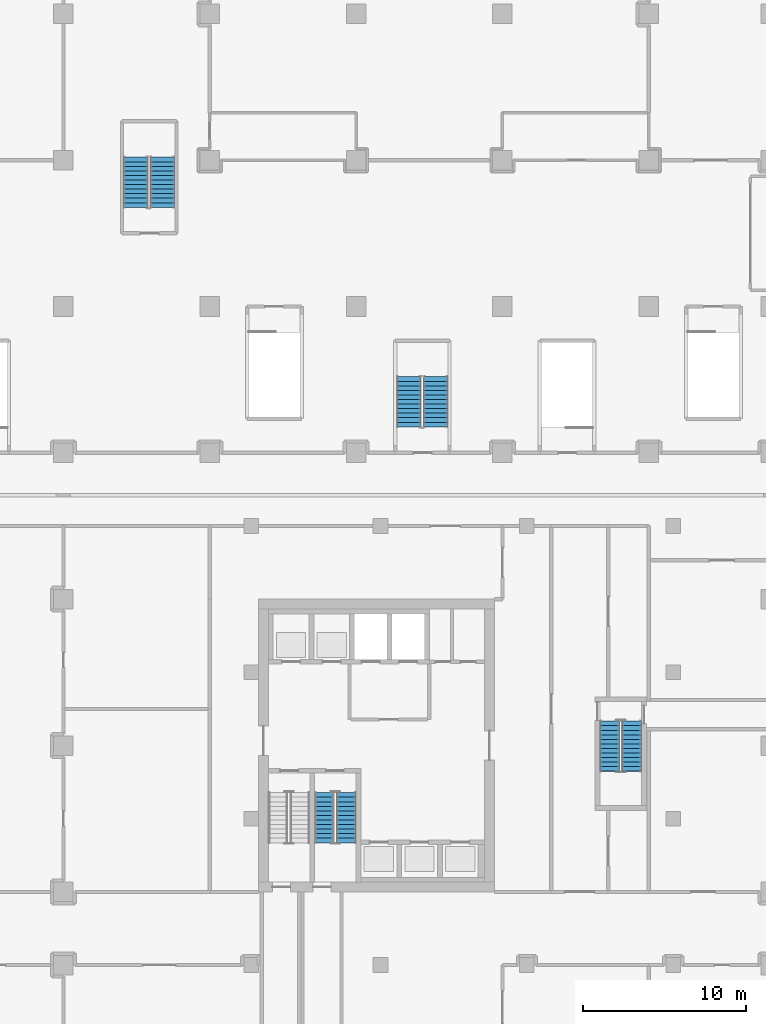
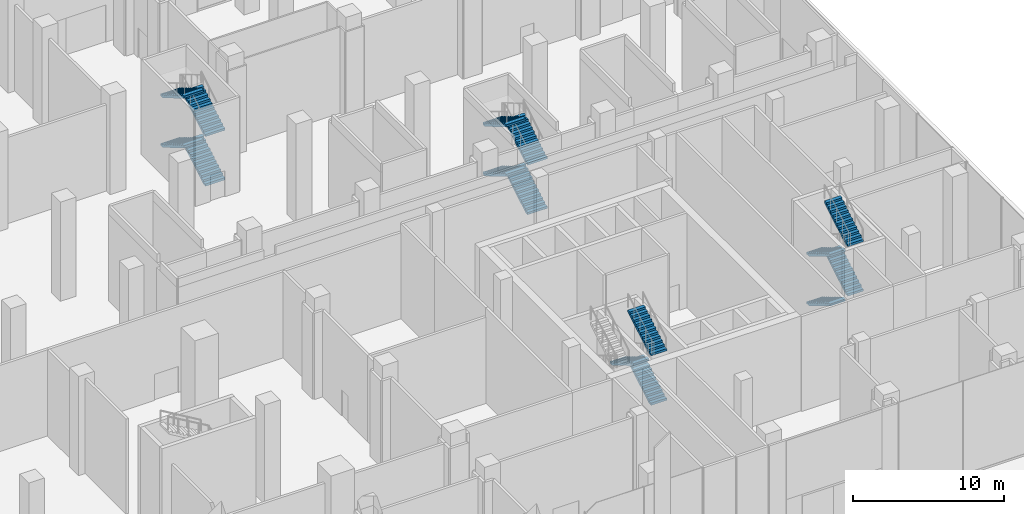
# One storey, part 29 of 42: 15 stair flights, 4 elements without a shape of their own.
"""IFC4 building model written with IfcOpenShell, lengths in metres."""

from ifc_helpers import new_model, si_unit, direction, frame, origin, place, context, subcontext, project, spatial, polyline, outline, extrude, material, type_object, element, aggregate, save


model = new_model("IFC4")

# Units and contexts
model_context = context("Model", 3, precision=1e-05, world=origin(), true_north=direction((0.0, 1.0)))
body_context = subcontext(model_context, "Body", "Model", "MODEL_VIEW")
ifc_project = project(units=[si_unit("LENGTHUNIT", "METRE"), si_unit("AREAUNIT", "SQUARE_METRE"), si_unit("VOLUMEUNIT", "CUBIC_METRE"), si_unit("PLANEANGLEUNIT", "RADIAN"), si_unit("MASSUNIT", "GRAM", prefix="KILO")], contexts=[model_context])

# Site, building, storey
site_placement = place(None, origin())
site = spatial("IfcSite", under=ifc_project, at=site_placement, CompositionType="ELEMENT")
building_placement = place(site_placement, origin())
building = spatial("IfcBuilding", under=site, at=building_placement, Name="Plateau Cross Towers", CompositionType="ELEMENT")
storey_placement = place(building_placement, origin())
storey = spatial("IfcBuildingStorey", under=building, at=storey_placement, Name="L00", CompositionType="ELEMENT", Elevation=0.0)

# Stair, stair flights
ifc_material = material(Name="Concrete C40/50", Category="concrete")
stair_type_1 = type_object("IfcStairType", Name="Podium exit stair 1500", PredefinedType="HALF_TURN_STAIR", material=ifc_material)
stair_1_placement = place(storey_placement, origin())
stair_1 = element("IfcStair", 1, at=stair_1_placement, inside=storey, type_object=stair_type_1, Name="L00 Exit Stair 3", PredefinedType="HALF_TURN_STAIR")
stair_flight_type_1 = type_object("IfcStairFlightType", Name="Podium stair flight 1500", PredefinedType="STRAIGHT", material=ifc_material)
stair_flight_1_placement = place(storey_placement, frame((69.10009765625, 42.10009765625, 0.0), z_axis=(0.0, 0.0, 1.0), x_axis=(0.0, 1.0, 0.0)))
stair_flight_1 = element("IfcStairFlight", 2, at=stair_flight_1_placement, type_object=stair_flight_type_1, Name="PS3 flight 1", NumberOfRisers=12, NumberOfTreads=11, PredefinedType="STRAIGHT", RiserHeight=0.166666667, TreadLength=0.28, context=body_context, shape_type="SweptSolid", body=[
    extrude(outline(polyline([(-0.0048828125, -0.010009765625), (-0.0048828125, 0.0), (0.0, 0.0), (0.0, 0.166748046875), (0.280029296875, 0.166748046875), (0.280029296875, 0.333251953125), (0.56005859375, 0.333251953125), (0.56005859375, 0.5), (0.840087890625, 0.5), (0.840087890625, 0.666748046875), (1.1201171875, 0.666748046875), (1.1201171875, 0.833251953125), (1.39990234375, 0.833251953125), (1.39990234375, 1.0), (1.679931640625, 1.0), (1.679931640625, 1.166748046875), (1.9599609375, 1.166748046875), (1.9599609375, 1.333251953125), (2.239990234375, 1.333251953125), (2.239990234375, 1.5), (2.52001953125, 1.5), (2.52001953125, 1.666748046875), (2.800048828125, 1.666748046875), (2.800048828125, 1.833251953125), (3.080078125, 1.833251953125), (3.0849609375, 1.8232421875), (3.0849609375, 1.658935546875), (3.080078125, 1.658935546875), (0.29296875, 0.0), (0.02001953125, 0.0), (0.02001953125, -0.010009765625), (-0.0048828125, -0.010009765625)])), frame((0.0, 0.75, 0.0), z_axis=(0.0, -1.0, 0.0), x_axis=(1.0, 0.0, 0.0)), (0.0, 0.0, 1.0), 1.5),
])
stair_flight_2_placement = place(storey_placement, frame((67.449951171875, 45.179931640625, 2.0), z_axis=(0.0, 0.0, 1.0), x_axis=(0.0, -1.0, 0.0)))
stair_flight_2 = element("IfcStairFlight", 3, at=stair_flight_2_placement, type_object=stair_flight_type_1, Name="PS3 flight 2", NumberOfRisers=12, NumberOfTreads=11, PredefinedType="STRAIGHT", RiserHeight=0.166666667, TreadLength=0.28, context=body_context, shape_type="SweptSolid", body=[
    extrude(outline(polyline([(-0.0048828125, -0.010009765625), (-0.0048828125, 0.0), (0.0, 0.0), (0.0, 0.166748046875), (0.280029296875, 0.166748046875), (0.280029296875, 0.333251953125), (0.56005859375, 0.333251953125), (0.56005859375, 0.5), (0.840087890625, 0.5), (0.840087890625, 0.666748046875), (1.1201171875, 0.666748046875), (1.1201171875, 0.833251953125), (1.39990234375, 0.833251953125), (1.39990234375, 1.0), (1.679931640625, 1.0), (1.679931640625, 1.166748046875), (1.9599609375, 1.166748046875), (1.9599609375, 1.333251953125), (2.239990234375, 1.333251953125), (2.239990234375, 1.5), (2.52001953125, 1.5), (2.52001953125, 1.666748046875), (2.800048828125, 1.666748046875), (2.800048828125, 1.833251953125), (3.080078125, 1.833251953125), (3.0849609375, 1.8232421875), (3.0849609375, 1.658935546875), (3.080078125, 1.658935546875), (0.29296875, 0.0), (0.02001953125, 0.0), (0.02001953125, -0.010009765625), (-0.0048828125, -0.010009765625)])), frame((0.0, 0.75, 0.0), z_axis=(0.0, -1.0, 0.0), x_axis=(1.0, 0.0, 0.0)), (0.0, 0.0, 1.0), 1.5),
])
stair_flight_3_placement = place(storey_placement, frame((69.10009765625, 42.10009765625, 4.0), z_axis=(0.0, 0.0, 1.0), x_axis=(0.0, 1.0, 0.0)))
stair_flight_3 = element("IfcStairFlight", 4, at=stair_flight_3_placement, type_object=stair_flight_type_1, Name="PS3 flight 3", NumberOfRisers=12, NumberOfTreads=11, PredefinedType="STRAIGHT", RiserHeight=0.166666667, TreadLength=0.28, context=body_context, shape_type="SweptSolid", body=[
    extrude(outline(polyline([(-0.0048828125, -0.010009765625), (-0.0048828125, 0.0), (0.0, 0.0), (0.0, 0.166748046875), (0.280029296875, 0.166748046875), (0.280029296875, 0.333251953125), (0.56005859375, 0.333251953125), (0.56005859375, 0.5), (0.840087890625, 0.5), (0.840087890625, 0.666748046875), (1.1201171875, 0.666748046875), (1.1201171875, 0.833251953125), (1.39990234375, 0.833251953125), (1.39990234375, 1.0), (1.679931640625, 1.0), (1.679931640625, 1.166748046875), (1.9599609375, 1.166748046875), (1.9599609375, 1.333251953125), (2.239990234375, 1.333251953125), (2.239990234375, 1.5), (2.52001953125, 1.5), (2.52001953125, 1.666748046875), (2.800048828125, 1.666748046875), (2.800048828125, 1.833251953125), (3.080078125, 1.833251953125), (3.0849609375, 1.8232421875), (3.0849609375, 1.658935546875), (3.080078125, 1.658935546875), (0.29296875, 0.0), (0.02001953125, 0.0), (0.02001953125, -0.010009765625), (-0.0048828125, -0.010009765625)])), frame((0.0, 0.75, 0.0), z_axis=(0.0, -1.0, 0.0), x_axis=(1.0, 0.0, 0.0)), (0.0, 0.0, 1.0), 1.5),
])
stair_flight_4_placement = place(storey_placement, frame((67.449951171875, 45.179931640625, 6.0), z_axis=(0.0, 0.0, 1.0), x_axis=(0.0, -1.0, 0.0)))
stair_flight_4 = element("IfcStairFlight", 5, at=stair_flight_4_placement, type_object=stair_flight_type_1, Name="PS3 flight 4", NumberOfRisers=12, NumberOfTreads=11, PredefinedType="STRAIGHT", RiserHeight=0.166666667, TreadLength=0.28, context=body_context, shape_type="SweptSolid", body=[
    extrude(outline(polyline([(-0.0048828125, -0.010009765625), (-0.0048828125, 0.0), (0.0, 0.0), (0.0, 0.166748046875), (0.280029296875, 0.166748046875), (0.280029296875, 0.333251953125), (0.56005859375, 0.333251953125), (0.56005859375, 0.5), (0.840087890625, 0.5), (0.840087890625, 0.666748046875), (1.1201171875, 0.666748046875), (1.1201171875, 0.833251953125), (1.39990234375, 0.833251953125), (1.39990234375, 1.0), (1.679931640625, 1.0), (1.679931640625, 1.166748046875), (1.9599609375, 1.166748046875), (1.9599609375, 1.333251953125), (2.239990234375, 1.333251953125), (2.239990234375, 1.5), (2.52001953125, 1.5), (2.52001953125, 1.666748046875), (2.800048828125, 1.666748046875), (2.800048828125, 1.833251953125), (3.080078125, 1.833251953125), (3.0849609375, 1.8232421875), (3.0849609375, 1.658935546875), (3.080078125, 1.658935546875), (0.29296875, 0.0), (0.02001953125, 0.0), (0.02001953125, -0.010009765625), (-0.0048828125, -0.010009765625)])), frame((0.0, 0.75, 0.0), z_axis=(0.0, -1.0, 0.0), x_axis=(1.0, 0.0, 0.0)), (0.0, 0.0, 1.0), 1.5),
])
aggregate(stair_1, [stair_flight_1, stair_flight_2, stair_flight_3, stair_flight_4])

stair_2_placement = place(storey_placement, origin())
stair_2 = element("IfcStair", 6, at=stair_2_placement, inside=storey, type_object=stair_type_1, Name="L00 Exit Stair 5", PredefinedType="HALF_TURN_STAIR")
stair_flight_5_placement = place(storey_placement, frame((85.89990234375, 28.60009765625, 0.0), z_axis=(0.0, 0.0, 1.0), x_axis=(0.0, 1.0, 0.0)))
stair_flight_5 = element("IfcStairFlight", 7, at=stair_flight_5_placement, type_object=stair_flight_type_1, Name="PS5 flight 1", NumberOfRisers=12, NumberOfTreads=11, PredefinedType="STRAIGHT", RiserHeight=0.166666667, TreadLength=0.28, context=body_context, shape_type="SweptSolid", body=[
    extrude(outline(polyline([(-0.0048828125, -0.010009765625), (-0.0048828125, 0.0), (0.0, 0.0), (0.0, 0.166748046875), (0.280029296875, 0.166748046875), (0.280029296875, 0.333251953125), (0.56005859375, 0.333251953125), (0.56005859375, 0.5), (0.840087890625, 0.5), (0.840087890625, 0.666748046875), (1.1201171875, 0.666748046875), (1.1201171875, 0.833251953125), (1.39990234375, 0.833251953125), (1.39990234375, 1.0), (1.679931640625, 1.0), (1.679931640625, 1.166748046875), (1.9599609375, 1.166748046875), (1.9599609375, 1.333251953125), (2.239990234375, 1.333251953125), (2.239990234375, 1.5), (2.52001953125, 1.5), (2.52001953125, 1.666748046875), (2.800048828125, 1.666748046875), (2.800048828125, 1.833251953125), (3.080078125, 1.833251953125), (3.0849609375, 1.8232421875), (3.0849609375, 1.658935546875), (3.080078125, 1.658935546875), (0.29296875, 0.0), (0.02001953125, 0.0), (0.02001953125, -0.010009765625), (-0.0048828125, -0.010009765625)])), frame((0.0, 0.75, 0.0), z_axis=(0.0, -1.0, 0.0), x_axis=(1.0, 0.0, 0.0)), (0.0, 0.0, 1.0), 1.5),
])
stair_flight_6_placement = place(storey_placement, frame((84.25, 31.679931640625, 2.0), z_axis=(0.0, 0.0, 1.0), x_axis=(0.0, -1.0, 0.0)))
stair_flight_6 = element("IfcStairFlight", 8, at=stair_flight_6_placement, type_object=stair_flight_type_1, Name="PS5 flight 2", NumberOfRisers=12, NumberOfTreads=11, PredefinedType="STRAIGHT", RiserHeight=0.166666667, TreadLength=0.28, context=body_context, shape_type="SweptSolid", body=[
    extrude(outline(polyline([(-0.0048828125, -0.010009765625), (-0.0048828125, 0.0), (0.0, 0.0), (0.0, 0.166748046875), (0.280029296875, 0.166748046875), (0.280029296875, 0.333251953125), (0.56005859375, 0.333251953125), (0.56005859375, 0.5), (0.840087890625, 0.5), (0.840087890625, 0.666748046875), (1.1201171875, 0.666748046875), (1.1201171875, 0.833251953125), (1.39990234375, 0.833251953125), (1.39990234375, 1.0), (1.679931640625, 1.0), (1.679931640625, 1.166748046875), (1.9599609375, 1.166748046875), (1.9599609375, 1.333251953125), (2.239990234375, 1.333251953125), (2.239990234375, 1.5), (2.52001953125, 1.5), (2.52001953125, 1.666748046875), (2.800048828125, 1.666748046875), (2.800048828125, 1.833251953125), (3.080078125, 1.833251953125), (3.0849609375, 1.8232421875), (3.0849609375, 1.658935546875), (3.080078125, 1.658935546875), (0.29296875, 0.0), (0.02001953125, 0.0), (0.02001953125, -0.010009765625), (-0.0048828125, -0.010009765625)])), frame((0.0, 0.75, 0.0), z_axis=(0.0, -1.0, 0.0), x_axis=(1.0, 0.0, 0.0)), (0.0, 0.0, 1.0), 1.5),
])
stair_flight_7_placement = place(storey_placement, frame((85.89990234375, 28.60009765625, 4.0), z_axis=(0.0, 0.0, 1.0), x_axis=(0.0, 1.0, 0.0)))
stair_flight_7 = element("IfcStairFlight", 9, at=stair_flight_7_placement, type_object=stair_flight_type_1, Name="PS5 flight 3", NumberOfRisers=12, NumberOfTreads=11, PredefinedType="STRAIGHT", RiserHeight=0.166666667, TreadLength=0.28, context=body_context, shape_type="SweptSolid", body=[
    extrude(outline(polyline([(-0.0048828125, -0.010009765625), (-0.0048828125, 0.0), (0.0, 0.0), (0.0, 0.166748046875), (0.280029296875, 0.166748046875), (0.280029296875, 0.333251953125), (0.56005859375, 0.333251953125), (0.56005859375, 0.5), (0.840087890625, 0.5), (0.840087890625, 0.666748046875), (1.1201171875, 0.666748046875), (1.1201171875, 0.833251953125), (1.39990234375, 0.833251953125), (1.39990234375, 1.0), (1.679931640625, 1.0), (1.679931640625, 1.166748046875), (1.9599609375, 1.166748046875), (1.9599609375, 1.333251953125), (2.239990234375, 1.333251953125), (2.239990234375, 1.5), (2.52001953125, 1.5), (2.52001953125, 1.666748046875), (2.800048828125, 1.666748046875), (2.800048828125, 1.833251953125), (3.080078125, 1.833251953125), (3.0849609375, 1.8232421875), (3.0849609375, 1.658935546875), (3.080078125, 1.658935546875), (0.29296875, 0.0), (0.02001953125, 0.0), (0.02001953125, -0.010009765625), (-0.0048828125, -0.010009765625)])), frame((0.0, 0.75, 0.0), z_axis=(0.0, -1.0, 0.0), x_axis=(1.0, 0.0, 0.0)), (0.0, 0.0, 1.0), 1.5),
])
stair_flight_8_placement = place(storey_placement, frame((84.25, 31.679931640625, 6.0), z_axis=(0.0, 0.0, 1.0), x_axis=(0.0, -1.0, 0.0)))
stair_flight_8 = element("IfcStairFlight", 10, at=stair_flight_8_placement, type_object=stair_flight_type_1, Name="PS5 flight 4", NumberOfRisers=12, NumberOfTreads=11, PredefinedType="STRAIGHT", RiserHeight=0.166666667, TreadLength=0.28, context=body_context, shape_type="SweptSolid", body=[
    extrude(outline(polyline([(-0.0048828125, -0.010009765625), (-0.0048828125, 0.0), (0.0, 0.0), (0.0, 0.166748046875), (0.280029296875, 0.166748046875), (0.280029296875, 0.333251953125), (0.56005859375, 0.333251953125), (0.56005859375, 0.5), (0.840087890625, 0.5), (0.840087890625, 0.666748046875), (1.1201171875, 0.666748046875), (1.1201171875, 0.833251953125), (1.39990234375, 0.833251953125), (1.39990234375, 1.0), (1.679931640625, 1.0), (1.679931640625, 1.166748046875), (1.9599609375, 1.166748046875), (1.9599609375, 1.333251953125), (2.239990234375, 1.333251953125), (2.239990234375, 1.5), (2.52001953125, 1.5), (2.52001953125, 1.666748046875), (2.800048828125, 1.666748046875), (2.800048828125, 1.833251953125), (3.080078125, 1.833251953125), (3.0849609375, 1.8232421875), (3.0849609375, 1.658935546875), (3.080078125, 1.658935546875), (0.29296875, 0.0), (0.02001953125, 0.0), (0.02001953125, -0.010009765625), (-0.0048828125, -0.010009765625)])), frame((0.0, 0.75, 0.0), z_axis=(0.0, -1.0, 0.0), x_axis=(1.0, 0.0, 0.0)), (0.0, 0.0, 1.0), 1.5),
])
aggregate(stair_2, [stair_flight_5, stair_flight_6, stair_flight_7, stair_flight_8])

stair_type_2 = type_object("IfcStairType", Name="ST-TWR", PredefinedType="HALF_TURN_STAIR", material=ifc_material)
stair_3_placement = place(storey_placement, origin())
stair_3 = element("IfcStair", 11, at=stair_3_placement, inside=storey, type_object=stair_type_2, Name="L00 Protected Exit Stair SB-2", PredefinedType="HALF_TURN_STAIR")
stair_flight_type_2 = type_object("IfcStairFlightType", Name="SFL-RC", PredefinedType="STRAIGHT", material=ifc_material)
stair_flight_9_placement = place(storey_placement, frame((80.39990234375, 3.02001953125, 2.0), z_axis=(0.0, 0.0, 1.0), x_axis=(0.0, 1.0, 0.0)))
stair_flight_9 = element("IfcStairFlight", 12, at=stair_flight_9_placement, type_object=stair_flight_type_2, Name="SB-2 flight 2", NumberOfRisers=12, NumberOfTreads=11, PredefinedType="STRAIGHT", RiserHeight=0.166666667, TreadLength=0.28, context=body_context, shape_type="SweptSolid", body=[
    extrude(outline(polyline([(-0.0048828125, -0.010009765625), (-0.0048828125, 0.0), (0.0, 0.0), (0.0, 0.166748046875), (0.280029296875, 0.166748046875), (0.280029296875, 0.333251953125), (0.56005859375, 0.333251953125), (0.56005859375, 0.5), (0.840087890625, 0.5), (0.840087890625, 0.666748046875), (1.1201171875, 0.666748046875), (1.1201171875, 0.833251953125), (1.39990234375, 0.833251953125), (1.39990234375, 1.0), (1.679931640625, 1.0), (1.679931640625, 1.166748046875), (1.9599609375, 1.166748046875), (1.9599609375, 1.333251953125), (2.239990234375, 1.333251953125), (2.239990234375, 1.5), (2.52001953125, 1.5), (2.52001953125, 1.666748046875), (2.800048828125, 1.666748046875), (2.800048828125, 1.833251953125), (3.080078125, 1.833251953125), (3.0849609375, 1.8232421875), (3.0849609375, 1.658935546875), (3.080078125, 1.658935546875), (0.29296875, 0.0), (0.02001953125, 0.0), (0.02001953125, -0.010009765625), (-0.0048828125, -0.010009765625)])), frame((0.0, 0.60009765625, 0.0), z_axis=(0.0, -1.0, 0.0), x_axis=(1.0, 0.0, 0.0)), (0.0, 0.0, 1.0), 1.199951171875),
])
stair_flight_10_placement = place(storey_placement, frame((79.050048828125, 6.10009765625, 4.0), z_axis=(0.0, 0.0, 1.0), x_axis=(0.0, -1.0, 0.0)))
stair_flight_10 = element("IfcStairFlight", 13, at=stair_flight_10_placement, type_object=stair_flight_type_2, Name="SB-2 flight 3", NumberOfRisers=12, NumberOfTreads=11, PredefinedType="STRAIGHT", RiserHeight=0.166666667, TreadLength=0.28, context=body_context, shape_type="SweptSolid", body=[
    extrude(outline(polyline([(-0.0048828125, -0.010009765625), (-0.0048828125, 0.0), (0.0, 0.0), (0.0, 0.166748046875), (0.280029296875, 0.166748046875), (0.280029296875, 0.333251953125), (0.56005859375, 0.333251953125), (0.56005859375, 0.5), (0.840087890625, 0.5), (0.840087890625, 0.666748046875), (1.1201171875, 0.666748046875), (1.1201171875, 0.833251953125), (1.39990234375, 0.833251953125), (1.39990234375, 1.0), (1.679931640625, 1.0), (1.679931640625, 1.166748046875), (1.9599609375, 1.166748046875), (1.9599609375, 1.333251953125), (2.239990234375, 1.333251953125), (2.239990234375, 1.5), (2.52001953125, 1.5), (2.52001953125, 1.666748046875), (2.800048828125, 1.666748046875), (2.800048828125, 1.833251953125), (3.080078125, 1.833251953125), (3.0849609375, 1.8232421875), (3.0849609375, 1.658935546875), (3.080078125, 1.658935546875), (0.29296875, 0.0), (0.02001953125, 0.0), (0.02001953125, -0.010009765625), (-0.0048828125, -0.010009765625)])), frame((0.0, 0.60009765625, 0.0), z_axis=(0.0, -1.0, 0.0), x_axis=(1.0, 0.0, 0.0)), (0.0, 0.0, 1.0), 1.199951171875),
])
stair_flight_11_placement = place(storey_placement, frame((80.39990234375, 3.02001953125, 6.0), z_axis=(0.0, 0.0, 1.0), x_axis=(0.0, 1.0, 0.0)))
stair_flight_11 = element("IfcStairFlight", 14, at=stair_flight_11_placement, type_object=stair_flight_type_2, Name="SB-2 flight 4", NumberOfRisers=12, NumberOfTreads=11, PredefinedType="STRAIGHT", RiserHeight=0.166666667, TreadLength=0.28, context=body_context, shape_type="SweptSolid", body=[
    extrude(outline(polyline([(-0.0048828125, -0.010009765625), (-0.0048828125, 0.0), (0.0, 0.0), (0.0, 0.166748046875), (0.280029296875, 0.166748046875), (0.280029296875, 0.333251953125), (0.56005859375, 0.333251953125), (0.56005859375, 0.5), (0.840087890625, 0.5), (0.840087890625, 0.666748046875), (1.1201171875, 0.666748046875), (1.1201171875, 0.833251953125), (1.39990234375, 0.833251953125), (1.39990234375, 1.0), (1.679931640625, 1.0), (1.679931640625, 1.166748046875), (1.9599609375, 1.166748046875), (1.9599609375, 1.333251953125), (2.239990234375, 1.333251953125), (2.239990234375, 1.5), (2.52001953125, 1.5), (2.52001953125, 1.666748046875), (2.800048828125, 1.666748046875), (2.800048828125, 1.833251953125), (3.080078125, 1.833251953125), (3.0849609375, 1.8232421875), (3.0849609375, 1.658935546875), (3.080078125, 1.658935546875), (0.29296875, 0.0), (0.02001953125, 0.0), (0.02001953125, -0.010009765625), (-0.0048828125, -0.010009765625)])), frame((0.0, 0.60009765625, 0.0), z_axis=(0.0, -1.0, 0.0), x_axis=(1.0, 0.0, 0.0)), (0.0, 0.0, 1.0), 1.199951171875),
])
aggregate(stair_3, [stair_flight_9, stair_flight_10, stair_flight_11])

stair_4_placement = place(storey_placement, origin())
stair_4 = element("IfcStair", 15, at=stair_4_placement, inside=storey, type_object=stair_type_2, Name="L00 Protected Exit Stair SB-3", PredefinedType="HALF_TURN_STAIR")
stair_flight_12_placement = place(storey_placement, frame((96.60009765625, 10.5, 0.0), z_axis=(0.0, 0.0, 1.0), x_axis=(0.0, -1.0, 0.0)))
stair_flight_12 = element("IfcStairFlight", 16, at=stair_flight_12_placement, type_object=stair_flight_type_2, Name="SB-3 flight 1", NumberOfRisers=12, NumberOfTreads=11, PredefinedType="STRAIGHT", RiserHeight=0.166666667, TreadLength=0.28, context=body_context, shape_type="SweptSolid", body=[
    extrude(outline(polyline([(-0.0048828125, -0.010009765625), (-0.0048828125, 0.0), (0.0, 0.0), (0.0, 0.166748046875), (0.280029296875, 0.166748046875), (0.280029296875, 0.333251953125), (0.56005859375, 0.333251953125), (0.56005859375, 0.5), (0.840087890625, 0.5), (0.840087890625, 0.666748046875), (1.1201171875, 0.666748046875), (1.1201171875, 0.833251953125), (1.39990234375, 0.833251953125), (1.39990234375, 1.0), (1.679931640625, 1.0), (1.679931640625, 1.166748046875), (1.9599609375, 1.166748046875), (1.9599609375, 1.333251953125), (2.239990234375, 1.333251953125), (2.239990234375, 1.5), (2.52001953125, 1.5), (2.52001953125, 1.666748046875), (2.800048828125, 1.666748046875), (2.800048828125, 1.833251953125), (3.080078125, 1.833251953125), (3.0849609375, 1.8232421875), (3.0849609375, 1.658935546875), (3.080078125, 1.658935546875), (0.29296875, 0.0), (0.02001953125, 0.0), (0.02001953125, -0.010009765625), (-0.0048828125, -0.010009765625)])), frame((0.0, 0.60009765625, 0.0), z_axis=(0.0, -1.0, 0.0), x_axis=(1.0, 0.0, 0.0)), (0.0, 0.0, 1.0), 1.199951171875),
])
stair_flight_13_placement = place(storey_placement, frame((97.949951171875, 7.419921875, 2.0), z_axis=(0.0, 0.0, 1.0), x_axis=(0.0, 1.0, 0.0)))
stair_flight_13 = element("IfcStairFlight", 17, at=stair_flight_13_placement, type_object=stair_flight_type_2, Name="SB-3 flight 2", NumberOfRisers=12, NumberOfTreads=11, PredefinedType="STRAIGHT", RiserHeight=0.166666667, TreadLength=0.28, context=body_context, shape_type="SweptSolid", body=[
    extrude(outline(polyline([(-0.0048828125, -0.010009765625), (-0.0048828125, 0.0), (0.0, 0.0), (0.0, 0.166748046875), (0.280029296875, 0.166748046875), (0.280029296875, 0.333251953125), (0.56005859375, 0.333251953125), (0.56005859375, 0.5), (0.840087890625, 0.5), (0.840087890625, 0.666748046875), (1.1201171875, 0.666748046875), (1.1201171875, 0.833251953125), (1.39990234375, 0.833251953125), (1.39990234375, 1.0), (1.679931640625, 1.0), (1.679931640625, 1.166748046875), (1.9599609375, 1.166748046875), (1.9599609375, 1.333251953125), (2.239990234375, 1.333251953125), (2.239990234375, 1.5), (2.52001953125, 1.5), (2.52001953125, 1.666748046875), (2.800048828125, 1.666748046875), (2.800048828125, 1.833251953125), (3.080078125, 1.833251953125), (3.0849609375, 1.8232421875), (3.0849609375, 1.658935546875), (3.080078125, 1.658935546875), (0.29296875, 0.0), (0.02001953125, 0.0), (0.02001953125, -0.010009765625), (-0.0048828125, -0.010009765625)])), frame((0.0, 0.60009765625, 0.0), z_axis=(0.0, -1.0, 0.0), x_axis=(1.0, 0.0, 0.0)), (0.0, 0.0, 1.0), 1.199951171875),
])
stair_flight_14_placement = place(storey_placement, frame((96.60009765625, 10.5, 4.0), z_axis=(0.0, 0.0, 1.0), x_axis=(0.0, -1.0, 0.0)))
stair_flight_14 = element("IfcStairFlight", 18, at=stair_flight_14_placement, type_object=stair_flight_type_2, Name="SB-3 flight 3", NumberOfRisers=12, NumberOfTreads=11, PredefinedType="STRAIGHT", RiserHeight=0.166666667, TreadLength=0.28, context=body_context, shape_type="SweptSolid", body=[
    extrude(outline(polyline([(-0.0048828125, -0.010009765625), (-0.0048828125, 0.0), (0.0, 0.0), (0.0, 0.166748046875), (0.280029296875, 0.166748046875), (0.280029296875, 0.333251953125), (0.56005859375, 0.333251953125), (0.56005859375, 0.5), (0.840087890625, 0.5), (0.840087890625, 0.666748046875), (1.1201171875, 0.666748046875), (1.1201171875, 0.833251953125), (1.39990234375, 0.833251953125), (1.39990234375, 1.0), (1.679931640625, 1.0), (1.679931640625, 1.166748046875), (1.9599609375, 1.166748046875), (1.9599609375, 1.333251953125), (2.239990234375, 1.333251953125), (2.239990234375, 1.5), (2.52001953125, 1.5), (2.52001953125, 1.666748046875), (2.800048828125, 1.666748046875), (2.800048828125, 1.833251953125), (3.080078125, 1.833251953125), (3.0849609375, 1.8232421875), (3.0849609375, 1.658935546875), (3.080078125, 1.658935546875), (0.29296875, 0.0), (0.02001953125, 0.0), (0.02001953125, -0.010009765625), (-0.0048828125, -0.010009765625)])), frame((0.0, 0.60009765625, 0.0), z_axis=(0.0, -1.0, 0.0), x_axis=(1.0, 0.0, 0.0)), (0.0, 0.0, 1.0), 1.199951171875),
])
stair_flight_15_placement = place(storey_placement, frame((97.949951171875, 7.419921875, 6.0), z_axis=(0.0, 0.0, 1.0), x_axis=(0.0, 1.0, 0.0)))
stair_flight_15 = element("IfcStairFlight", 19, at=stair_flight_15_placement, type_object=stair_flight_type_2, Name="SB-3 flight 4", NumberOfRisers=12, NumberOfTreads=11, PredefinedType="STRAIGHT", RiserHeight=0.166666667, TreadLength=0.28, context=body_context, shape_type="SweptSolid", body=[
    extrude(outline(polyline([(-0.0048828125, -0.010009765625), (-0.0048828125, 0.0), (0.0, 0.0), (0.0, 0.166748046875), (0.280029296875, 0.166748046875), (0.280029296875, 0.333251953125), (0.56005859375, 0.333251953125), (0.56005859375, 0.5), (0.840087890625, 0.5), (0.840087890625, 0.666748046875), (1.1201171875, 0.666748046875), (1.1201171875, 0.833251953125), (1.39990234375, 0.833251953125), (1.39990234375, 1.0), (1.679931640625, 1.0), (1.679931640625, 1.166748046875), (1.9599609375, 1.166748046875), (1.9599609375, 1.333251953125), (2.239990234375, 1.333251953125), (2.239990234375, 1.5), (2.52001953125, 1.5), (2.52001953125, 1.666748046875), (2.800048828125, 1.666748046875), (2.800048828125, 1.833251953125), (3.080078125, 1.833251953125), (3.0849609375, 1.8232421875), (3.0849609375, 1.658935546875), (3.080078125, 1.658935546875), (0.29296875, 0.0), (0.02001953125, 0.0), (0.02001953125, -0.010009765625), (-0.0048828125, -0.010009765625)])), frame((0.0, 0.60009765625, 0.0), z_axis=(0.0, -1.0, 0.0), x_axis=(1.0, 0.0, 0.0)), (0.0, 0.0, 1.0), 1.199951171875),
])
aggregate(stair_4, [stair_flight_12, stair_flight_13, stair_flight_14, stair_flight_15])

save(model, "model.ifc")
